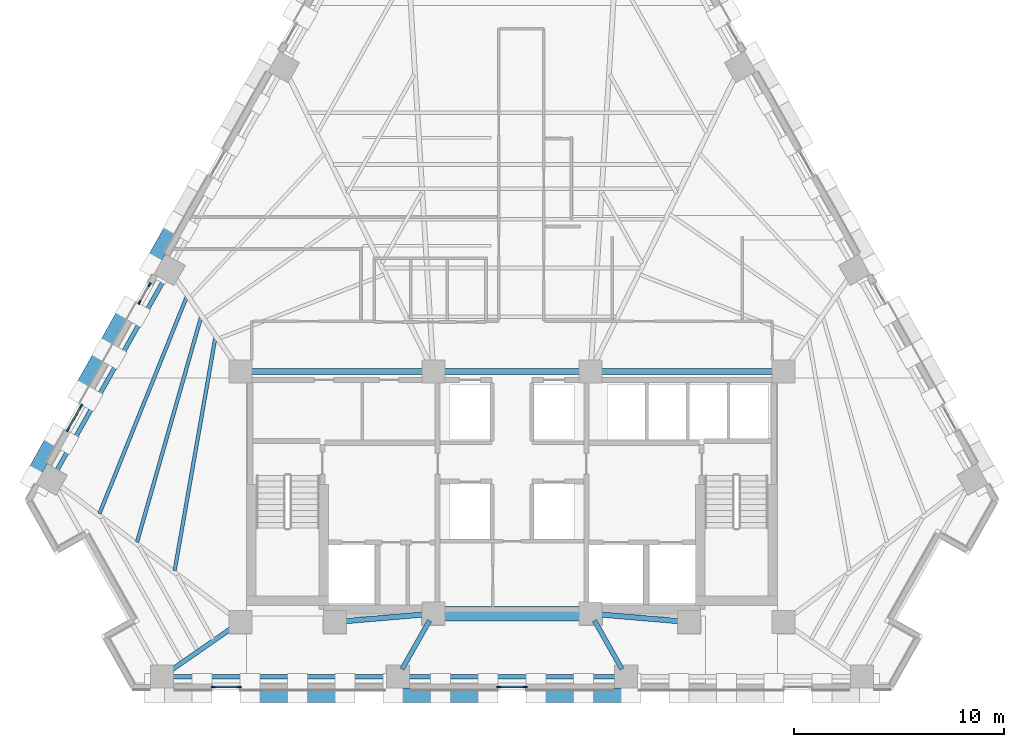
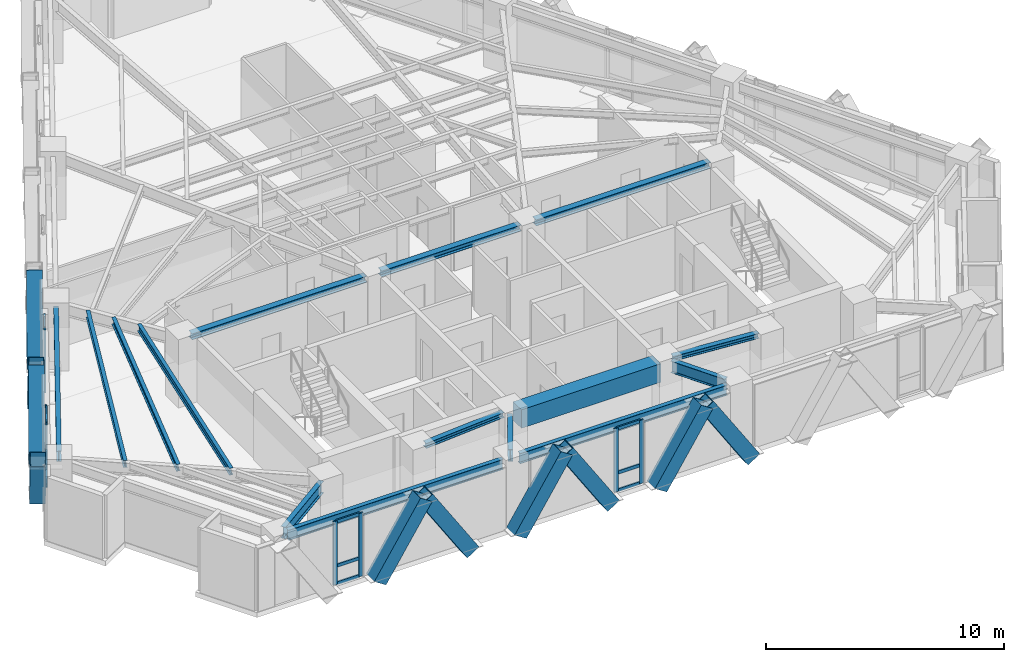
# One storey, part 2 of 13: 27 members, 15 beams, 4 elements without a shape of their own.
"""IFC4 building model written with IfcOpenShell, lengths in metres."""

from ifc_helpers import new_model, si_unit, direction, frame, origin, origin_2d, place, context, subcontext, project, spatial, rectangle, hollow_rectangle, i_section, extrude, material, material_profile, profile_set, type_object, element, aggregate, save


model = new_model("IFC4")

# Units and contexts
model_context = context("Model", 3, precision=1e-05, world=origin(), true_north=direction((0.0, 1.0)))
body_context = subcontext(model_context, "Body", "Model", "MODEL_VIEW")
ifc_project = project(units=[si_unit("LENGTHUNIT", "METRE"), si_unit("AREAUNIT", "SQUARE_METRE"), si_unit("VOLUMEUNIT", "CUBIC_METRE"), si_unit("PLANEANGLEUNIT", "RADIAN"), si_unit("MASSUNIT", "GRAM", prefix="KILO")], contexts=[model_context])

# Site, building, storey
site_placement = place(None, origin())
site = spatial("IfcSite", under=ifc_project, at=site_placement, CompositionType="ELEMENT")
building_placement = place(site_placement, origin())
building = spatial("IfcBuilding", under=site, at=building_placement, Name="Quenlor Broadcast Tower", CompositionType="ELEMENT")
storey_placement = place(building_placement, frame((0.0, 0.0, 105.5)))
storey = spatial("IfcBuildingStorey", under=building, at=storey_placement, Name="L28", CompositionType="ELEMENT", Elevation=105.5)

# Curtain wall, members
ifc_material_1 = material(Name="Architectural Terracotta and Low-E Glazing", Category="masonry")
curtain_wall_type = type_object("IfcCurtainWallType", Name="Unitised Terracotta Curtain Wall System Z2", PredefinedType="NOTDEFINED", material=ifc_material_1)
curtain_wall_1_placement = place(storey_placement, origin())
curtain_wall_1 = element("IfcCurtainWall", 1, at=curtain_wall_1_placement, inside=storey, type_object=curtain_wall_type, Name="L28 Curtain Wall CW2 (L28-SC-G1)", PredefinedType="NOTDEFINED")
ifc_material_2 = material(Name="Aluminium 6063-T6", Category="aluminium")
ifc_material_profile_1 = material_profile(ifc_material_2, rectangle(XDim=0.074951171875, YDim=0.199951171875, at=origin_2d()))
ifc_profile_set_1 = profile_set([ifc_material_profile_1], Name="Aluminium 6063-T6 MULL75x200")
member_type_1 = type_object("IfcMemberType", Name="CW2 Aluminium Mullion MULL_CW2", PredefinedType="MULLION", material=ifc_profile_set_1)
member_1_placement = place(storey_placement, frame((-13.01611328125, -19.840087890625, 0.0), z_axis=(0.0, 0.0, 1.0), x_axis=(0.0, -1.0, 0.0)))
member_1 = element("IfcMember", 2, at=member_1_placement, type_object=member_type_1, Name="CW2 mullion 1", PredefinedType="MULLION", context=body_context, shape_type="SweptSolid", body=[
    extrude(rectangle(XDim=0.074951171875, YDim=0.199951171875, at=origin_2d()), origin(), (0.0, 0.0, 1.0), 3.25),
])
member_2_placement = place(storey_placement, frame((-14.254150390625, -19.840087890625, 0.0), z_axis=(0.0, 0.0, 1.0), x_axis=(0.0, -1.0, 0.0)))
member_2 = element("IfcMember", 3, at=member_2_placement, type_object=member_type_1, Name="CW2 mullion 2", PredefinedType="MULLION", context=body_context, shape_type="SweptSolid", body=[
    extrude(rectangle(XDim=0.074951171875, YDim=0.199951171875, at=origin_2d()), origin(), (0.0, 0.0, 1.0), 3.25),
])

curtain_wall_2_placement = place(storey_placement, origin())
curtain_wall_2 = element("IfcCurtainWall", 4, at=curtain_wall_2_placement, inside=storey, type_object=curtain_wall_type, Name="L28 Curtain Wall CW2 (L28-S-G1)", PredefinedType="NOTDEFINED")
member_3_placement = place(storey_placement, frame((0.618896484375, -19.840087890625, 0.0), z_axis=(0.0, 0.0, 1.0), x_axis=(0.0, -1.0, 0.0)))
member_3 = element("IfcMember", 5, at=member_3_placement, type_object=member_type_1, Name="CW2 mullion 1", PredefinedType="MULLION", context=body_context, shape_type="SweptSolid", body=[
    extrude(rectangle(XDim=0.074951171875, YDim=0.199951171875, at=origin_2d()), origin(), (0.0, 0.0, 1.0), 3.25),
])
member_4_placement = place(storey_placement, frame((-0.618896484375, -19.840087890625, 0.0), z_axis=(0.0, 0.0, 1.0), x_axis=(0.0, -1.0, 0.0)))
member_4 = element("IfcMember", 6, at=member_4_placement, type_object=member_type_1, Name="CW2 mullion 2", PredefinedType="MULLION", context=body_context, shape_type="SweptSolid", body=[
    extrude(rectangle(XDim=0.074951171875, YDim=0.199951171875, at=origin_2d()), origin(), (0.0, 0.0, 1.0), 3.25),
])

curtain_wall_3_placement = place(storey_placement, origin())
curtain_wall_3 = element("IfcCurtainWall", 7, at=curtain_wall_3_placement, inside=storey, type_object=curtain_wall_type, Name="L28 Curtain Wall CW2 (L28-NWA-G1)", PredefinedType="NOTDEFINED")
member_5_placement = place(storey_placement, frame((-21.177734375, -7.57568359375, 0.0), z_axis=(0.0, 0.0, 1.0), x_axis=(-0.871565749621, 0.490278639232, 0.0)))
member_5 = element("IfcMember", 8, at=member_5_placement, type_object=member_type_1, Name="CW2 mullion 1", PredefinedType="MULLION", context=body_context, shape_type="SweptSolid", body=[
    extrude(rectangle(XDim=0.074951171875, YDim=0.199951171875, at=origin_2d()), origin(), (0.0, 0.0, 1.0), 3.25),
])
member_6_placement = place(storey_placement, frame((-20.545654296875, -6.451904296875, 0.0), z_axis=(0.0, 0.0, 1.0), x_axis=(-0.871565749621, 0.490278639232, 0.0)))
member_6 = element("IfcMember", 9, at=member_6_placement, type_object=member_type_1, Name="CW2 mullion 2", PredefinedType="MULLION", context=body_context, shape_type="SweptSolid", body=[
    extrude(rectangle(XDim=0.074951171875, YDim=0.199951171875, at=origin_2d()), origin(), (0.0, 0.0, 1.0), 3.25),
])

curtain_wall_4_placement = place(storey_placement, origin())
curtain_wall_4 = element("IfcCurtainWall", 10, at=curtain_wall_4_placement, inside=storey, type_object=curtain_wall_type, Name="L28 Curtain Wall CW2 (L28-NWA-G2)", PredefinedType="NOTDEFINED")
member_7_placement = place(storey_placement, frame((-17.7646484375, -1.508056640625, 0.0), z_axis=(0.0, 0.0, 1.0), x_axis=(-0.871580587336, 0.490252261371, 0.0)))
member_7 = element("IfcMember", 11, at=member_7_placement, type_object=member_type_1, Name="CW2 mullion 1", PredefinedType="MULLION", context=body_context, shape_type="SweptSolid", body=[
    extrude(rectangle(XDim=0.074951171875, YDim=0.199951171875, at=origin_2d()), origin(), (0.0, 0.0, 1.0), 3.25),
])
member_8_placement = place(storey_placement, frame((-17.282958984375, -0.651611328125, 0.0), z_axis=(0.0, 0.0, 1.0), x_axis=(-0.871580587336, 0.490252261371, 0.0)))
member_8 = element("IfcMember", 12, at=member_8_placement, type_object=member_type_1, Name="CW2 mullion 2", PredefinedType="MULLION", context=body_context, shape_type="SweptSolid", body=[
    extrude(rectangle(XDim=0.074951171875, YDim=0.199951171875, at=origin_2d()), origin(), (0.0, 0.0, 1.0), 3.25),
])
aggregate(curtain_wall_4, [member_7, member_8])

# Member
ifc_material_3 = material(Name="Aluminium 6063-T6", Category="aluminium")
ifc_material_profile_2 = material_profile(ifc_material_3, rectangle(XDim=0.074951171875, YDim=0.1650390625, at=origin_2d()))
ifc_profile_set_2 = profile_set([ifc_material_profile_2], Name="Aluminium 6063-T6 TRAN75x165")
member_type_2 = type_object("IfcMemberType", Name="CW2 Aluminium Transom TRAN_CW2", PredefinedType="USERDEFINED", material=ifc_profile_set_2)
member_9_placement = place(storey_placement, frame((-13.0537109375, -19.840087890625, 0.03759765625), z_axis=(-1.0, 0.0, 0.0), x_axis=(0.0, -1.0, 0.0)))
member_9 = element("IfcMember", 13, at=member_9_placement, type_object=member_type_2, Name="CW2 transom 1.1", ObjectType="TRANSOM", PredefinedType="USERDEFINED", context=body_context, shape_type="SweptSolid", body=[
    extrude(rectangle(XDim=0.074951171875, YDim=0.1650390625, at=origin_2d()), origin(), (0.0, 0.0, 1.0), 1.1630859375),
])

member_10_placement = place(storey_placement, frame((-13.0537109375, -19.840087890625, 0.949951171875), z_axis=(-1.0, 0.0, 0.0), x_axis=(0.0, -1.0, 0.0)))
member_10 = element("IfcMember", 14, at=member_10_placement, type_object=member_type_2, Name="CW2 transom 1.2", ObjectType="TRANSOM", PredefinedType="USERDEFINED", context=body_context, shape_type="SweptSolid", body=[
    extrude(rectangle(XDim=0.074951171875, YDim=0.1650390625, at=origin_2d()), origin(), (0.0, 0.0, 1.0), 1.1630859375),
])

member_11_placement = place(storey_placement, frame((-13.0537109375, -19.840087890625, 3.21240234375), z_axis=(-1.0, 0.0, 0.0), x_axis=(0.0, -1.0, 0.0)))
member_11 = element("IfcMember", 15, at=member_11_placement, type_object=member_type_2, Name="CW2 transom 1.3", ObjectType="TRANSOM", PredefinedType="USERDEFINED", context=body_context, shape_type="SweptSolid", body=[
    extrude(rectangle(XDim=0.074951171875, YDim=0.1650390625, at=origin_2d()), origin(), (0.0, 0.0, 1.0), 1.1630859375),
])

aggregate(curtain_wall_1, [member_1, member_2, member_9, member_10, member_11])

member_12_placement = place(storey_placement, frame((0.58154296875, -19.840087890625, 0.03759765625), z_axis=(-1.0, 0.0, 0.0), x_axis=(0.0, -1.0, 0.0)))
member_12 = element("IfcMember", 16, at=member_12_placement, type_object=member_type_2, Name="CW2 transom 1.1", ObjectType="TRANSOM", PredefinedType="USERDEFINED", context=body_context, shape_type="SweptSolid", body=[
    extrude(rectangle(XDim=0.074951171875, YDim=0.1650390625, at=origin_2d()), origin(), (0.0, 0.0, 1.0), 1.1630859375),
])

member_13_placement = place(storey_placement, frame((0.58154296875, -19.840087890625, 0.949951171875), z_axis=(-1.0, 0.0, 0.0), x_axis=(0.0, -1.0, 0.0)))
member_13 = element("IfcMember", 17, at=member_13_placement, type_object=member_type_2, Name="CW2 transom 1.2", ObjectType="TRANSOM", PredefinedType="USERDEFINED", context=body_context, shape_type="SweptSolid", body=[
    extrude(rectangle(XDim=0.074951171875, YDim=0.1650390625, at=origin_2d()), origin(), (0.0, 0.0, 1.0), 1.1630859375),
])

member_14_placement = place(storey_placement, frame((0.58154296875, -19.840087890625, 3.21240234375), z_axis=(-1.0, 0.0, 0.0), x_axis=(0.0, -1.0, 0.0)))
member_14 = element("IfcMember", 18, at=member_14_placement, type_object=member_type_2, Name="CW2 transom 1.3", ObjectType="TRANSOM", PredefinedType="USERDEFINED", context=body_context, shape_type="SweptSolid", body=[
    extrude(rectangle(XDim=0.074951171875, YDim=0.1650390625, at=origin_2d()), origin(), (0.0, 0.0, 1.0), 1.1630859375),
])

aggregate(curtain_wall_2, [member_3, member_4, member_12, member_13, member_14])

member_15_placement = place(storey_placement, frame((-21.159423828125, -7.54296875, 0.03759765625), z_axis=(0.490347143438, 0.871527210661, 0.0), x_axis=(-0.871527210661, 0.490347143438, 0.0)))
member_15 = element("IfcMember", 19, at=member_15_placement, type_object=member_type_2, Name="CW2 transom 1.1", ObjectType="TRANSOM", PredefinedType="USERDEFINED", context=body_context, shape_type="SweptSolid", body=[
    extrude(rectangle(XDim=0.074951171875, YDim=0.1650390625, at=origin_2d()), origin(), (0.0, 0.0, 1.0), 1.21435546875),
])

member_16_placement = place(storey_placement, frame((-21.159423828125, -7.54296875, 0.949951171875), z_axis=(0.490347143438, 0.871527210661, 0.0), x_axis=(-0.871527210661, 0.490347143438, 0.0)))
member_16 = element("IfcMember", 20, at=member_16_placement, type_object=member_type_2, Name="CW2 transom 1.2", ObjectType="TRANSOM", PredefinedType="USERDEFINED", context=body_context, shape_type="SweptSolid", body=[
    extrude(rectangle(XDim=0.074951171875, YDim=0.1650390625, at=origin_2d()), origin(), (0.0, 0.0, 1.0), 1.21435546875),
])

member_17_placement = place(storey_placement, frame((-21.159423828125, -7.54296875, 3.21240234375), z_axis=(0.490347143438, 0.871527210661, 0.0), x_axis=(-0.871527210661, 0.490347143438, 0.0)))
member_17 = element("IfcMember", 21, at=member_17_placement, type_object=member_type_2, Name="CW2 transom 1.3", ObjectType="TRANSOM", PredefinedType="USERDEFINED", context=body_context, shape_type="SweptSolid", body=[
    extrude(rectangle(XDim=0.074951171875, YDim=0.1650390625, at=origin_2d()), origin(), (0.0, 0.0, 1.0), 1.21435546875),
])

aggregate(curtain_wall_3, [member_5, member_6, member_15, member_16, member_17])

# Beams
ifc_material_4 = material(Name="Concrete C50/60", Category="concrete")
ifc_material_profile_3 = material_profile(ifc_material_4, rectangle(XDim=0.699951171875, YDim=0.949951171875, at=origin_2d()))
ifc_profile_set_3 = profile_set([ifc_material_profile_3], Name="Concrete C50/60 RCB700x950")
beam_type_1 = type_object("IfcBeamType", Name="Core Coupling Beam Concrete C50/60 700x950", PredefinedType="BEAM", material=ifc_profile_set_3)
beam_1_placement = place(storey_placement, frame((-3.389892578125, -16.35009765625, 2.77490234375), z_axis=(1.0, 0.0, 0.0), x_axis=(0.0, 1.0, 0.0)))
element("IfcBeam", 22, at=beam_1_placement, inside=storey, type_object=beam_type_1, Name="L28 Core Coupling Beam 6", PredefinedType="BEAM", context=body_context, shape_type="SweptSolid", body=[
    extrude(rectangle(XDim=0.699951171875, YDim=0.949951171875, at=origin_2d()), origin(), (0.0, 0.0, 1.0), 6.77978515625),
])
ifc_material_5 = material(Name="Steel S355", Category="steel")
ifc_material_profile_4 = material_profile(ifc_material_5, i_section(OverallWidth=0.304931640625, OverallDepth=0.30810546875, WebThickness=0.010009765625, FlangeThickness=0.015380859375, FilletRadius=0.0166015625, at=origin_2d()))
ifc_profile_set_4 = profile_set([ifc_material_profile_4], Name="Steel S355 310UC96.8")
beam_type_2 = type_object("IfcBeamType", Name="Core Header Beam Steel S355 310UC96.8", PredefinedType="BEAM", material=ifc_profile_set_4)
beam_2_placement = place(storey_placement, frame((-3.389892578125, -4.800048828125, 3.095947265625), z_axis=(1.0, 0.0, 0.0), x_axis=(0.0, 1.0, 0.0)))
element("IfcBeam", 23, at=beam_2_placement, inside=storey, type_object=beam_type_2, Name="L28 Core Header Beam 2", PredefinedType="BEAM", context=body_context, shape_type="SweptSolid", body=[
    extrude(i_section(OverallWidth=0.304931640625, OverallDepth=0.30810546875, WebThickness=0.010009765625, FlangeThickness=0.015380859375, FilletRadius=0.0166015625, at=origin_2d()), origin(), (0.0, 0.0, 1.0), 6.77978515625),
])
ifc_material_6 = material(Name="Steel S355", Category="steel")
ifc_material_profile_5 = material_profile(ifc_material_6, i_section(OverallWidth=0.25390625, OverallDepth=0.25390625, WebThickness=0.008544921875, FlangeThickness=0.01416015625, FilletRadius=0.013916015625, at=origin_2d()))
ifc_profile_set_5 = profile_set([ifc_material_profile_5], Name="Steel S355 250UC72.9")
beam_type_3 = type_object("IfcBeamType", Name="Core Opening Lintel Beam Steel S355 250UC72.9", PredefinedType="LINTEL", material=ifc_profile_set_5)
for number, where, z_axis, x_axis, name in (
    (24, (-8.09130859375, -16.719482421875, 3.123046875), (0.996399763903, 0.084779186679, 0.0), (-0.084779186679, 0.996399763903, 0.0), "L28 Core Opening Lintel Beam 4"),
    (25, (4.108642578125, -16.380615234375, 3.123046875), (0.996399763903, -0.084779186679, 0.0), (0.084779186679, 0.996399763903, 0.0), "L28 Core Opening Lintel Beam 5"),
):
    element("IfcBeam", number, at=place(storey_placement, frame(where, z_axis=z_axis, x_axis=x_axis)), inside=storey, type_object=beam_type_3, Name=name, PredefinedType="LINTEL", context=body_context, shape_type="SweptSolid", body=[
        extrude(i_section(OverallWidth=0.25390625, OverallDepth=0.25390625, WebThickness=0.008544921875, FlangeThickness=0.01416015625, FilletRadius=0.013916015625, at=origin_2d()), origin(), (0.0, 0.0, 1.0), 3.9970703125),
    ])
ifc_material_7 = material(Name="Steel S355", Category="steel")
ifc_material_profile_6 = material_profile(ifc_material_7, i_section(OverallWidth=0.306884765625, OverallDepth=0.314697265625, WebThickness=0.011962890625, FlangeThickness=0.018798828125, FilletRadius=0.0166015625, at=origin_2d()))
ifc_profile_set_6 = profile_set([ifc_material_profile_6], Name="Steel S355 310UC118")
beam_type_4 = type_object("IfcBeamType", Name="Core Tie Beam Steel S355 310UC118", PredefinedType="BEAM", material=ifc_profile_set_6)
for number, where, z_axis, x_axis, name in (
    (26, (-12.590087890625, -4.800048828125, 3.0927734375), (1.0, 0.0, 0.0), (0.0, 1.0, 0.0), "L28 Core Tie Beam 1"),
    (27, (4.110107421875, -4.800048828125, 3.0927734375), (1.0, 0.0, 0.0), (0.0, 1.0, 0.0), "L28 Core Tie Beam 3"),
):
    element("IfcBeam", number, at=place(storey_placement, frame(where, z_axis=z_axis, x_axis=x_axis)), inside=storey, type_object=beam_type_4, Name=name, PredefinedType="BEAM", context=body_context, shape_type="SweptSolid", body=[
        extrude(i_section(OverallWidth=0.306884765625, OverallDepth=0.314697265625, WebThickness=0.011962890625, FlangeThickness=0.018798828125, FilletRadius=0.0166015625, at=origin_2d()), origin(), (0.0, 0.0, 1.0), 8.47998046875),
    ])

# Members
ifc_material_8 = material(Name="Steel S355", Category="steel")
ifc_material_profile_7 = material_profile(ifc_material_8, hollow_rectangle(XDim=0.679931640625, YDim=0.679931640625, WallThickness=0.030029296875, at=origin_2d()))
ifc_profile_set_7 = profile_set([ifc_material_profile_7], Name="Steel S355 RHS680x680x30")
member_type_3 = type_object("IfcMemberType", Name="Perimeter Diagonal Lattice Brace Z2 Steel S355 RHS680x30", PredefinedType="BRACE", material=ifc_profile_set_7)
for number, where, z_axis, x_axis, name in (
    (28, (5.667724609375, -20.235107421875, -0.1201171875), (-0.539968035679, 0.0, 0.841685523485), (0.0, -1.0, 0.0), "L28 Perimeter Diamond Lattice S-C2S"),
    (29, (-1.14990234375, -20.235107421875, -0.1201171875), (-0.539968035679, 0.0, 0.841685523485), (0.0, -1.0, 0.0), "L28 Perimeter Diamond Lattice S-C3S"),
    (30, (1.14990234375, -20.235107421875, -0.1201171875), (0.539968035679, 0.0, 0.841685523485), (0.0, 1.0, 0.0), "L28 Perimeter Diamond Lattice S-C3B"),
    (31, (-7.967529296875, -20.235107421875, -0.1201171875), (-0.539968035679, 0.0, 0.841685523485), (0.0, -1.0, 0.0), "L28 Perimeter Diamond Lattice S-C4S"),
    (32, (-5.667724609375, -20.235107421875, -0.1201171875), (0.539968035679, 0.0, 0.841685523485), (0.0, 1.0, 0.0), "L28 Perimeter Diamond Lattice S-C4B"),
    (33, (-12.4853515625, -20.235107421875, -0.1201171875), (0.539968035679, 0.0, 0.841685523485), (0.0, 1.0, 0.0), "L28 Perimeter Diamond Lattice S-C5B"),
):
    element("IfcMember", number, at=place(storey_placement, frame(where, z_axis=z_axis, x_axis=x_axis)), inside=storey, type_object=member_type_3, Name=name, PredefinedType="BRACE", context=body_context, shape_type="SweptSolid", body=[
        extrude(hollow_rectangle(XDim=0.679931640625, YDim=0.679931640625, WallThickness=0.030029296875, at=origin_2d()), origin(), (0.0, 0.0, 1.0), 4.158203125),
    ])
for number, where, z_axis, x_axis, name in (
    (34, (-20.63037109375, -5.796630859375, -0.1201171875), (0.268696511206, 0.477585438485, 0.836489290913), (-0.871532878923, 0.490337068716, 0.0), "L28 Perimeter Diamond Lattice NW-C1S"),
    (35, (-21.781494140625, -7.843505859375, -0.1201171875), (-0.268696511206, -0.477585438485, 0.836489290913), (0.871532878923, -0.490337068716, 0.0), "L28 Perimeter Diamond Lattice NW-C1B"),
    (36, (-17.21728515625, 0.27099609375, -0.1201171875), (0.268696511206, 0.477585438485, 0.836489290913), (-0.871532878923, 0.490337068716, 0.0), "L28 Perimeter Diamond Lattice NW-C2S"),
    (37, (-18.368408203125, -1.77587890625, -0.1201171875), (-0.268696511206, -0.477585438485, 0.836489290913), (0.871532878923, -0.490337068716, 0.0), "L28 Perimeter Diamond Lattice NW-C2B"),
):
    element("IfcMember", number, at=place(storey_placement, frame(where, z_axis=z_axis, x_axis=x_axis)), inside=storey, type_object=member_type_3, Name=name, PredefinedType="BRACE", context=body_context, shape_type="SweptSolid", body=[
        extrude(hollow_rectangle(XDim=0.679931640625, YDim=0.679931640625, WallThickness=0.030029296875, at=origin_2d()), origin(), (0.0, 0.0, 1.0), 4.18408203125),
    ])

# Beams
ifc_material_9 = material(Name="Steel S355", Category="steel")
ifc_material_profile_8 = material_profile(ifc_material_9, i_section(OverallWidth=0.208984375, OverallDepth=0.5283203125, WebThickness=0.009521484375, FlangeThickness=0.01318359375, FilletRadius=0.013916015625, at=origin_2d()))
ifc_profile_set_8 = profile_set([ifc_material_profile_8], Name="Steel S355 530UB82.0")
beam_type_5 = type_object("IfcBeamType", Name="Perimeter Spandrel Beam Z2 Steel S355 530UB82.0", PredefinedType="SPANDREL", material=ifc_profile_set_8)
beam_3_placement = place(storey_placement, frame((-16.282470703125, -19.35009765625, 2.98583984375), z_axis=(1.0, 0.0, 0.0), x_axis=(0.0, 1.0, 0.0)))
element("IfcBeam", 38, at=beam_3_placement, inside=storey, type_object=beam_type_5, Name="L28 Spandrel Beam S1-S2", PredefinedType="SPANDREL", context=body_context, shape_type="SweptSolid", body=[
    extrude(i_section(OverallWidth=0.208984375, OverallDepth=0.5283203125, WebThickness=0.009521484375, FlangeThickness=0.01318359375, FilletRadius=0.013916015625, at=origin_2d()), origin(), (0.0, 0.0, 1.0), 10.42919921875),
])
beam_4_placement = place(storey_placement, frame((-5.033203125, -19.35009765625, 2.98583984375), z_axis=(1.0, 0.0, 0.0), x_axis=(0.0, 1.0, 0.0)))
element("IfcBeam", 39, at=beam_4_placement, inside=storey, type_object=beam_type_5, Name="L28 Spandrel Beam S2-S3", PredefinedType="SPANDREL", context=body_context, shape_type="SweptSolid", body=[
    extrude(i_section(OverallWidth=0.208984375, OverallDepth=0.5283203125, WebThickness=0.009521484375, FlangeThickness=0.01318359375, FilletRadius=0.013916015625, at=origin_2d()), origin(), (0.0, 0.0, 1.0), 10.06640625),
])
beam_5_placement = place(storey_placement, frame((-16.531005859375, -0.314453125, 2.98583984375), z_axis=(-0.490263415828, -0.871574313011, 0.0), x_axis=(0.871574313011, -0.490263415828, 0.0)))
element("IfcBeam", 40, at=beam_5_placement, inside=storey, type_object=beam_type_5, Name="L28 Spandrel Beam NW3-NW4", PredefinedType="SPANDREL", context=body_context, shape_type="SweptSolid", body=[
    extrude(i_section(OverallWidth=0.208984375, OverallDepth=0.5283203125, WebThickness=0.009521484375, FlangeThickness=0.01318359375, FilletRadius=0.013916015625, at=origin_2d()), origin(), (0.0, 0.0, 1.0), 10.65283203125),
])
ifc_material_10 = material(Name="Steel S355", Category="steel")
ifc_material_profile_9 = material_profile(ifc_material_10, i_section(OverallWidth=0.172119140625, OverallDepth=0.358642578125, WebThickness=0.008056640625, FlangeThickness=0.012939453125, FilletRadius=0.011474609375, at=origin_2d()))
ifc_profile_set_9 = profile_set([ifc_material_profile_9], Name="Steel S355 360UB56.7")
beam_type_6 = type_object("IfcBeamType", Name="Tower Composite Joist Z2-Z3 Steel S355 360UB56.7", PredefinedType="JOIST", material=ifc_profile_set_9)
beam_6_placement = place(storey_placement, frame((-16.087890625, -14.29345703125, 3.07080078125), z_axis=(0.172120396521, 0.985075920476, 0.0), x_axis=(-0.985075920476, 0.172120396521, 0.0)))
element("IfcBeam", 41, at=beam_6_placement, inside=storey, type_object=beam_type_6, Name="L28 Secondary Composite Joist 13", PredefinedType="JOIST", context=body_context, shape_type="SweptSolid", body=[
    extrude(i_section(OverallWidth=0.172119140625, OverallDepth=0.358642578125, WebThickness=0.008056640625, FlangeThickness=0.012939453125, FilletRadius=0.011474609375, at=origin_2d()), origin(), (0.0, 0.0, 1.0), 11.27783203125),
])
beam_7_placement = place(storey_placement, frame((-17.880615234375, -12.9365234375, 3.07080078125), z_axis=(0.273563993601, 0.96185380459, 0.0), x_axis=(-0.96185380459, 0.273563993601, 0.0)))
element("IfcBeam", 42, at=beam_7_placement, inside=storey, type_object=beam_type_6, Name="L28 Secondary Composite Joist 14", PredefinedType="JOIST", context=body_context, shape_type="SweptSolid", body=[
    extrude(i_section(OverallWidth=0.172119140625, OverallDepth=0.358642578125, WebThickness=0.008056640625, FlangeThickness=0.012939453125, FilletRadius=0.011474609375, at=origin_2d()), origin(), (0.0, 0.0, 1.0), 11.1484375),
])
beam_8_placement = place(storey_placement, frame((-19.673583984375, -11.580810546875, 3.07080078125), z_axis=(0.373180395983, 0.92775880058, 0.0), x_axis=(-0.92775880058, 0.373180395983, 0.0)))
element("IfcBeam", 43, at=beam_8_placement, inside=storey, type_object=beam_type_6, Name="L28 Secondary Composite Joist 15", PredefinedType="JOIST", context=body_context, shape_type="SweptSolid", body=[
    extrude(i_section(OverallWidth=0.172119140625, OverallDepth=0.358642578125, WebThickness=0.008056640625, FlangeThickness=0.012939453125, FilletRadius=0.011474609375, at=origin_2d()), origin(), (0.0, 0.0, 1.0), 11.143798828125),
])
ifc_material_11 = material(Name="Steel S355", Category="steel")
ifc_material_profile_10 = material_profile(ifc_material_11, i_section(OverallWidth=0.22802734375, OverallDepth=0.60205078125, WebThickness=0.010498046875, FlangeThickness=0.014892578125, FilletRadius=0.013916015625, at=origin_2d()))
ifc_profile_set_10 = profile_set([ifc_material_profile_10], Name="Steel S355 610UB101")
beam_type_7 = type_object("IfcBeamType", Name="Tower Primary Floor Beam Z2 Steel S355 610UB101", PredefinedType="BEAM", material=ifc_profile_set_10)
beam_9_placement = place(storey_placement, frame((-16.355712890625, -19.1162109375, 2.948974609375), z_axis=(0.821227395059, 0.570601056436, 0.0), x_axis=(-0.570601056436, 0.821227395059, 0.0)))
element("IfcBeam", 44, at=beam_9_placement, inside=storey, type_object=beam_type_7, Name="L28 Primary Radial Beam S1", PredefinedType="BEAM", context=body_context, shape_type="SweptSolid", body=[
    extrude(i_section(OverallWidth=0.22802734375, OverallDepth=0.60205078125, WebThickness=0.010498046875, FlangeThickness=0.014892578125, FilletRadius=0.013916015625, at=origin_2d()), origin(), (0.0, 0.0, 1.0), 3.766845703125),
])
for number, where, z_axis, x_axis, name in (
    (45, (-5.24169921875, -18.992919921875, 2.948974609375), (0.491526879548, 0.870862403989, 0.0), (-0.870862403989, 0.491526879548, 0.0), "L28 Primary Radial Beam S2"),
    (46, (5.24169921875, -18.992919921875, 2.948974609375), (-0.491526879548, 0.870862403989, 0.0), (-0.870862403989, -0.491526879548, 0.0), "L28 Primary Radial Beam S3"),
):
    element("IfcBeam", number, at=place(storey_placement, frame(where, z_axis=z_axis, x_axis=x_axis)), inside=storey, type_object=beam_type_7, Name=name, PredefinedType="BEAM", context=body_context, shape_type="SweptSolid", body=[
        extrude(i_section(OverallWidth=0.22802734375, OverallDepth=0.60205078125, WebThickness=0.010498046875, FlangeThickness=0.014892578125, FilletRadius=0.013916015625, at=origin_2d()), origin(), (0.0, 0.0, 1.0), 2.65478515625),
    ])

save(model, "model.ifc")
